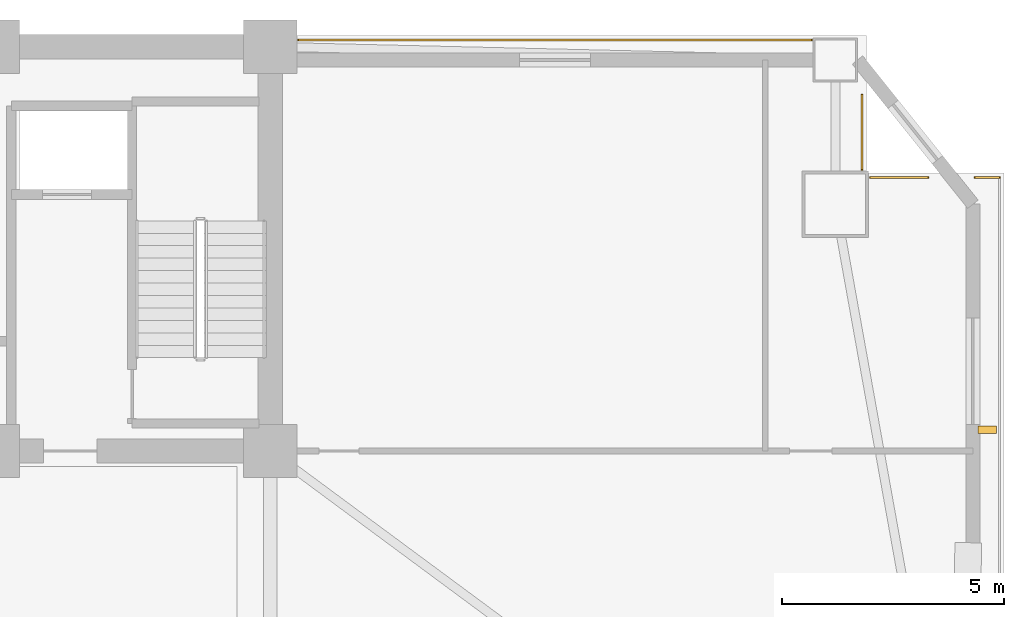
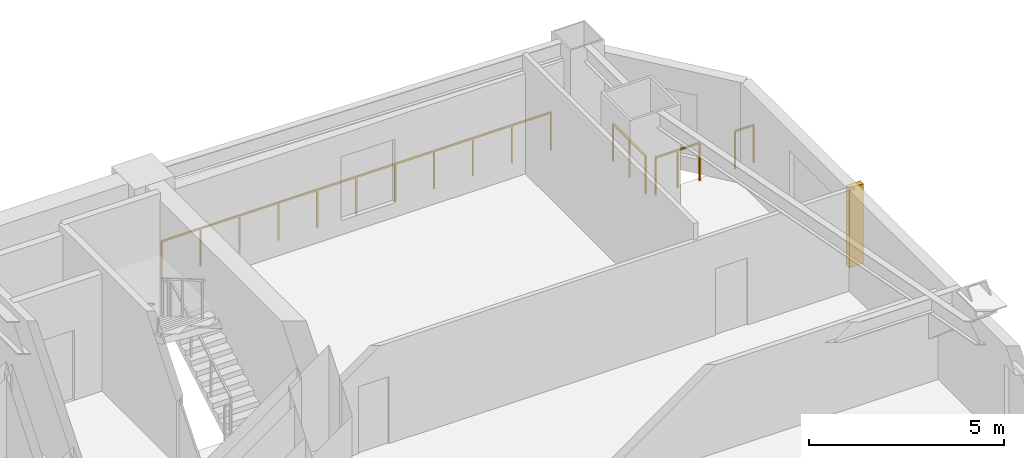
# One storey, part 16 of 16: 4 railings, 1 shading device.
"""IFC4 building model written with IfcOpenShell, lengths in metres."""

from ifc_helpers import new_model, si_unit, direction, frame, origin, origin_2d, place, context, subcontext, project, spatial, rectangle, extrude, source, transform, mapped, material, type_object, element, save


model = new_model("IFC4")

# Units and contexts
model_context = context("Model", 3, precision=1e-05, world=origin(), true_north=direction((0.0, 1.0)))
body_context = subcontext(model_context, "Body", "Model", "MODEL_VIEW")
ifc_project = project(units=[si_unit("LENGTHUNIT", "METRE"), si_unit("AREAUNIT", "SQUARE_METRE"), si_unit("VOLUMEUNIT", "CUBIC_METRE"), si_unit("PLANEANGLEUNIT", "RADIAN"), si_unit("MASSUNIT", "GRAM", prefix="KILO")], contexts=[model_context])

# Site, building, storey
site_placement = place(None, origin())
site = spatial("IfcSite", under=ifc_project, at=site_placement, CompositionType="ELEMENT")
building_placement = place(site_placement, origin())
building = spatial("IfcBuilding", under=site, at=building_placement, Name="Giltprow Tower", CompositionType="ELEMENT")
storey_placement = place(building_placement, frame((0.0, 0.0, 79.60009765625)))
storey = spatial("IfcBuildingStorey", under=building, at=storey_placement, Name="L19", CompositionType="ELEMENT", Elevation=79.60009765625)

# Railings
ifc_material = material(Name="Anodized bronze", Category="metal")
railing_type = type_object("IfcRailingType", Name="RAIL-BALC-GUARD-1200", PredefinedType="BALUSTRADE", material=ifc_material)
railing_1_placement = place(storey_placement, frame((51.18505859375, 46.699951171875, 0.0)))
element("IfcRailing", 1, at=railing_1_placement, inside=storey, type_object=railing_type, Name="L19 Corner Apron Edge Balustrade 10", PredefinedType="BALUSTRADE", context=body_context, shape_type="SweptSolid", body=[
    extrude(rectangle(XDim=0.048095703125, YDim=0.048095703125, at=origin_2d()), frame((0.0, 0.0, 1.17578125), z_axis=(1.0, 0.0, 0.0), x_axis=(0.0, 1.0, 0.0)), (0.0, 0.0, 1.0), 11.544921875),
    extrude(rectangle(XDim=0.0419921875, YDim=0.0419921875, at=origin_2d()), origin(), (0.0, 0.0, 1.0), 1.15185546875),
    extrude(rectangle(XDim=0.0419921875, YDim=0.0419921875, at=origin_2d()), frame((1.154541015625, 0.0, 0.0)), (0.0, 0.0, 1.0), 1.15185546875),
    extrude(rectangle(XDim=0.0419921875, YDim=0.0419921875, at=origin_2d()), frame((2.30908203125, 0.0, 0.0)), (0.0, 0.0, 1.0), 1.15185546875),
    extrude(rectangle(XDim=0.0419921875, YDim=0.0419921875, at=origin_2d()), frame((3.46337890625, 0.0, 0.0)), (0.0, 0.0, 1.0), 1.15185546875),
    extrude(rectangle(XDim=0.0419921875, YDim=0.0419921875, at=origin_2d()), frame((4.617919921875, 0.0, 0.0)), (0.0, 0.0, 1.0), 1.15185546875),
    extrude(rectangle(XDim=0.0419921875, YDim=0.0419921875, at=origin_2d()), frame((5.7724609375, 0.0, 0.0)), (0.0, 0.0, 1.0), 1.15185546875),
    extrude(rectangle(XDim=0.0419921875, YDim=0.0419921875, at=origin_2d()), frame((6.927001953125, 0.0, 0.0)), (0.0, 0.0, 1.0), 1.15185546875),
    extrude(rectangle(XDim=0.0419921875, YDim=0.0419921875, at=origin_2d()), frame((8.08154296875, 0.0, 0.0)), (0.0, 0.0, 1.0), 1.15185546875),
    extrude(rectangle(XDim=0.0419921875, YDim=0.0419921875, at=origin_2d()), frame((9.23583984375, 0.0, 0.0)), (0.0, 0.0, 1.0), 1.15185546875),
    extrude(rectangle(XDim=0.0419921875, YDim=0.0419921875, at=origin_2d()), frame((10.390380859375, 0.0, 0.0)), (0.0, 0.0, 1.0), 1.15185546875),
    extrude(rectangle(XDim=0.0419921875, YDim=0.0419921875, at=origin_2d()), frame((11.544921875, 0.0, 0.0)), (0.0, 0.0, 1.0), 1.15185546875),
])
railing_2_placement = place(storey_placement, frame((63.864990234375, 45.468994140625, 0.0)))
element("IfcRailing", 2, at=railing_2_placement, inside=storey, type_object=railing_type, Name="L19 Corner Apron Edge Balustrade 11", PredefinedType="BALUSTRADE", context=body_context, shape_type="SweptSolid", body=[
    extrude(rectangle(XDim=0.048095703125, YDim=0.048095703125, at=origin_2d()), frame((0.0, 0.0, 1.17578125), z_axis=(0.0, -1.0, 0.0), x_axis=(1.0, 0.0, 0.0)), (0.0, 0.0, 1.0), 1.679931640625),
    extrude(rectangle(XDim=0.0419921875, YDim=0.0419921875, at=origin_2d()), origin(), (0.0, 0.0, 1.0), 1.15185546875),
    extrude(rectangle(XDim=0.0419921875, YDim=0.0419921875, at=origin_2d()), frame((0.0, -0.83984375, 0.0)), (0.0, 0.0, 1.0), 1.15185546875),
    extrude(rectangle(XDim=0.0419921875, YDim=0.0419921875, at=origin_2d()), frame((0.0, -1.679931640625, 0.0)), (0.0, 0.0, 1.0), 1.15185546875),
])
railing_3_placement = place(storey_placement, frame((64.050048828125, 43.60400390625, 0.0)))
element("IfcRailing", 3, at=railing_3_placement, inside=storey, type_object=railing_type, Name="L19 Corner Apron Edge Balustrade 12", PredefinedType="BALUSTRADE", context=body_context, shape_type="SweptSolid", body=[
    extrude(rectangle(XDim=0.048095703125, YDim=0.048095703125, at=origin_2d()), frame((0.0, 0.0, 1.17578125), z_axis=(1.0, 0.0, 0.0), x_axis=(0.0, 1.0, 0.0)), (0.0, 0.0, 1.0), 1.305908203125),
    extrude(rectangle(XDim=0.0419921875, YDim=0.0419921875, at=origin_2d()), origin(), (0.0, 0.0, 1.0), 1.15185546875),
    extrude(rectangle(XDim=0.0419921875, YDim=0.0419921875, at=origin_2d()), frame((0.65283203125, 0.0, 0.0)), (0.0, 0.0, 1.0), 1.15185546875),
    extrude(rectangle(XDim=0.0419921875, YDim=0.0419921875, at=origin_2d()), frame((1.305908203125, 0.0, 0.0)), (0.0, 0.0, 1.0), 1.15185546875),
])
railing_4_placement = place(storey_placement, frame((66.406005859375, 43.60400390625, 0.0)))
element("IfcRailing", 4, at=railing_4_placement, inside=storey, type_object=railing_type, Name="L19 Corner Apron Edge Balustrade 13", PredefinedType="BALUSTRADE", context=body_context, shape_type="SweptSolid", body=[
    extrude(rectangle(XDim=0.048095703125, YDim=0.048095703125, at=origin_2d()), frame((0.0, 0.0, 1.17578125), z_axis=(1.0, 0.0, 0.0), x_axis=(0.0, 1.0, 0.0)), (0.0, 0.0, 1.0), 0.554931640625),
    extrude(rectangle(XDim=0.0419921875, YDim=0.0419921875, at=origin_2d()), origin(), (0.0, 0.0, 1.0), 1.15185546875),
    extrude(rectangle(XDim=0.0419921875, YDim=0.0419921875, at=origin_2d()), frame((0.554931640625, 0.0, 0.0)), (0.0, 0.0, 1.0), 1.15185546875),
])

# Shading device
shading_device_type = type_object("IfcShadingDeviceType", Name="SHD-FIN-420", PredefinedType="USERDEFINED", material=ifc_material)
shared_shape = source(origin(), body_context, "Body", "SweptSolid", [
    extrude(rectangle(XDim=0.419921875, YDim=0.159912109375, at=origin_2d()), origin(), (0.0, 0.0, 1.0), 2.5),
])
shading_device_placement = place(storey_placement, frame((66.680908203125, 37.927978515625, 0.349853515625), z_axis=(0.0, 0.0, 1.0), x_axis=(1.0, 0.0, 0.0)))
element("IfcShadingDevice", 5, at=shading_device_placement, inside=storey, type_object=shading_device_type, Name="L19 E Bronze Vertical Fin 2-2", ObjectType="FIN", PredefinedType="USERDEFINED", context=body_context, shape_type="MappedRepresentation", body=[
    mapped(shared_shape, transform((0.0, 0.0, 0.0), x_axis=(1.0, 0.0, 0.0), y_axis=(0.0, 1.0, 0.0), z_axis=(0.0, 0.0, 1.0), scale=1.0)),
])

save(model, "model.ifc")
